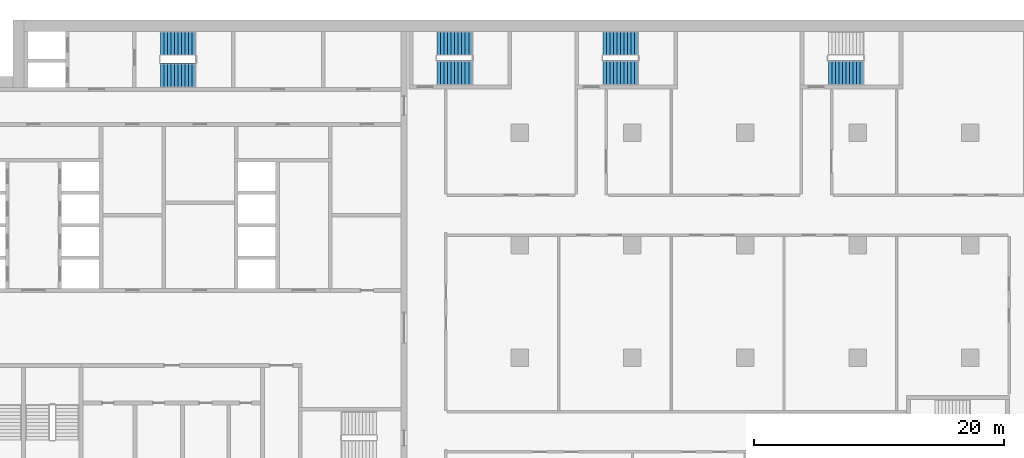
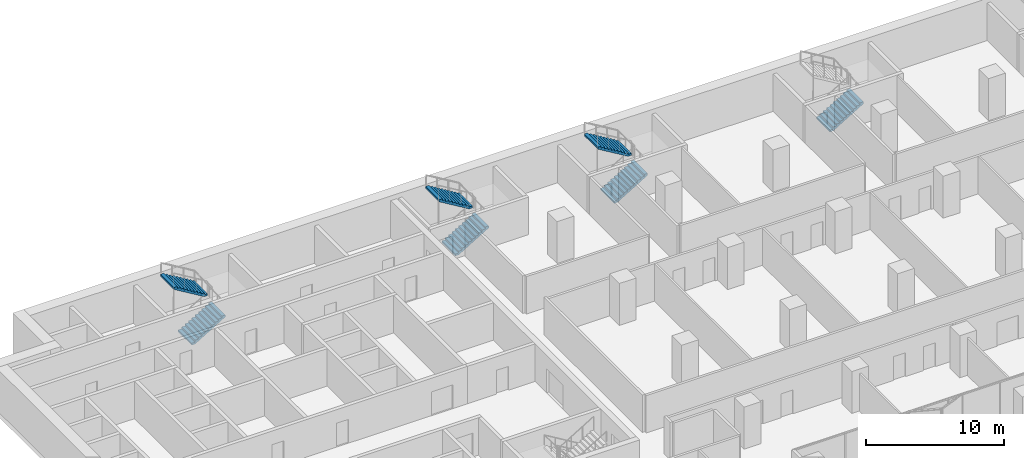
# One storey, part 21 of 28: 7 stair flights, 4 elements without a shape of their own.
"""IFC4 building model written with IfcOpenShell, lengths in metres."""

from ifc_helpers import new_model, si_unit, direction, frame, origin, place, context, subcontext, project, spatial, polyline, outline, extrude, material, type_object, element, aggregate, save


model = new_model("IFC4")

# Units and contexts
model_context = context("Model", 3, precision=1e-05, world=origin(), true_north=direction((0.0, 1.0)))
body_context = subcontext(model_context, "Body", "Model", "MODEL_VIEW")
ifc_project = project(units=[si_unit("LENGTHUNIT", "METRE"), si_unit("AREAUNIT", "SQUARE_METRE"), si_unit("VOLUMEUNIT", "CUBIC_METRE"), si_unit("PLANEANGLEUNIT", "RADIAN"), si_unit("MASSUNIT", "GRAM", prefix="KILO")], contexts=[model_context])

# Site, building, storey
site_placement = place(None, origin())
site = spatial("IfcSite", under=ifc_project, at=site_placement, CompositionType="ELEMENT")
building_placement = place(site_placement, origin())
building = spatial("IfcBuilding", under=site, at=building_placement, Name="Hunhe Ridgeline Campus", CompositionType="ELEMENT")
storey_placement = place(building_placement, frame((0.0, 0.0, 35.800048828125)))
storey = spatial("IfcBuildingStorey", under=building, at=storey_placement, Name="L07", CompositionType="ELEMENT", Elevation=35.800048828125)

# Stair, stair flights
ifc_material = material(Name="Concrete C40", Category="concrete")
stair_type = type_object("IfcStairType", Name="Reinforced concrete dog-leg stair 1950 Concrete C40", PredefinedType="HALF_TURN_STAIR", material=ifc_material)
stair_1_placement = place(storey_placement, origin())
stair_1 = element("IfcStair", 1, at=stair_1_placement, inside=storey, type_object=stair_type, Name="L07 S1", PredefinedType="HALF_TURN_STAIR")
stair_flight_type = type_object("IfcStairFlightType", Name="Reinforced concrete stair flight 1950 Concrete C40", PredefinedType="STRAIGHT", material=ifc_material)
stair_flight_1_placement = place(storey_placement, frame((16.300048828125, 94.574951171875, 0.0), z_axis=(0.0, 0.0, 1.0), x_axis=(1.0, 0.0, 0.0)))
stair_flight_1 = element("IfcStairFlight", 2, at=stair_flight_1_placement, type_object=stair_flight_type, Name="ST1 flight 1", NumberOfRisers=11, NumberOfTreads=10, PredefinedType="STRAIGHT", RiserHeight=0.168181818, TreadLength=0.28, context=body_context, shape_type="SweptSolid", body=[
    extrude(outline(polyline([(0.0, 0.0), (0.0, 0.168212890625), (0.280029296875, 0.168212890625), (0.280029296875, 0.33642578125), (0.56005859375, 0.33642578125), (0.56005859375, 0.504638671875), (0.840087890625, 0.504638671875), (0.840087890625, 0.672607421875), (1.1201171875, 0.672607421875), (1.1201171875, 0.8408203125), (1.39990234375, 0.8408203125), (1.39990234375, 1.009033203125), (1.679931640625, 1.009033203125), (1.679931640625, 1.17724609375), (1.9599609375, 1.17724609375), (1.9599609375, 1.345458984375), (2.239990234375, 1.345458984375), (2.239990234375, 1.513671875), (2.52001953125, 1.513671875), (2.52001953125, 1.681884765625), (2.800048828125, 1.681884765625), (2.800048828125, 1.85009765625), (2.800048828125, 1.5068359375), (0.291015625, 0.0), (0.0, 0.0)])), frame((0.0, 0.97509765625, 0.0), z_axis=(0.0, -1.0, 0.0), x_axis=(1.0, 0.0, 0.0)), (0.0, 0.0, 1.0), 1.949951171875),
    extrude(outline(polyline([(0.030029296875, 0.030029296875), (0.030029296875, 0.13818359375), (0.31005859375, 0.13818359375), (0.31005859375, 0.306396484375), (0.590087890625, 0.306396484375), (0.590087890625, 0.474609375), (0.8701171875, 0.474609375), (0.8701171875, 0.642578125), (1.14990234375, 0.642578125), (1.14990234375, 0.810791015625), (1.429931640625, 0.810791015625), (1.429931640625, 0.97900390625), (1.7099609375, 0.97900390625), (1.7099609375, 1.147216796875), (1.989990234375, 1.147216796875), (1.989990234375, 1.3154296875), (2.27001953125, 1.3154296875), (2.27001953125, 1.483642578125), (2.550048828125, 1.483642578125), (2.550048828125, 1.65185546875), (2.77001953125, 1.65185546875), (2.77001953125, 1.52392578125), (0.28271484375, 0.030029296875), (0.030029296875, 0.030029296875)])), frame((0.0, -0.070068359375, 0.0), z_axis=(0.0, -1.0, 0.0), x_axis=(1.0, 0.0, 0.0)), (0.0, 0.0, 1.0), 0.019775390625),
    extrude(outline(polyline([(0.030029296875, 0.030029296875), (0.030029296875, 0.13818359375), (0.31005859375, 0.13818359375), (0.31005859375, 0.306396484375), (0.590087890625, 0.306396484375), (0.590087890625, 0.474609375), (0.8701171875, 0.474609375), (0.8701171875, 0.642578125), (1.14990234375, 0.642578125), (1.14990234375, 0.810791015625), (1.429931640625, 0.810791015625), (1.429931640625, 0.97900390625), (1.7099609375, 0.97900390625), (1.7099609375, 1.147216796875), (1.989990234375, 1.147216796875), (1.989990234375, 1.3154296875), (2.27001953125, 1.3154296875), (2.27001953125, 1.483642578125), (2.550048828125, 1.483642578125), (2.550048828125, 1.65185546875), (2.77001953125, 1.65185546875), (2.77001953125, 1.52392578125), (0.28271484375, 0.030029296875), (0.030029296875, 0.030029296875)])), frame((0.0, 0.010009765625, 0.0), z_axis=(0.0, -1.0, 0.0), x_axis=(1.0, 0.0, 0.0)), (0.0, 0.0, 1.0), 0.019775390625),
    extrude(outline(polyline([(0.030029296875, 0.030029296875), (0.030029296875, 0.13818359375), (0.31005859375, 0.13818359375), (0.31005859375, 0.306396484375), (0.590087890625, 0.306396484375), (0.590087890625, 0.474609375), (0.8701171875, 0.474609375), (0.8701171875, 0.642578125), (1.14990234375, 0.642578125), (1.14990234375, 0.810791015625), (1.429931640625, 0.810791015625), (1.429931640625, 0.97900390625), (1.7099609375, 0.97900390625), (1.7099609375, 1.147216796875), (1.989990234375, 1.147216796875), (1.989990234375, 1.3154296875), (2.27001953125, 1.3154296875), (2.27001953125, 1.483642578125), (2.550048828125, 1.483642578125), (2.550048828125, 1.65185546875), (2.77001953125, 1.65185546875), (2.77001953125, 1.52392578125), (0.28271484375, 0.030029296875), (0.030029296875, 0.030029296875)])), frame((0.0, 0.090087890625, 0.0), z_axis=(0.0, -1.0, 0.0), x_axis=(1.0, 0.0, 0.0)), (0.0, 0.0, 1.0), 0.019775390625),
])
stair_flight_2_placement = place(storey_placement, frame((19.10009765625, 97.125, 1.849853515625), z_axis=(0.0, 0.0, 1.0), x_axis=(-1.0, 0.0, 0.0)))
stair_flight_2 = element("IfcStairFlight", 3, at=stair_flight_2_placement, type_object=stair_flight_type, Name="ST1 flight 2", NumberOfRisers=11, NumberOfTreads=10, PredefinedType="STRAIGHT", RiserHeight=0.168181818, TreadLength=0.28, context=body_context, shape_type="SweptSolid", body=[
    extrude(outline(polyline([(0.0, 0.0), (0.0, 0.168212890625), (0.280029296875, 0.168212890625), (0.280029296875, 0.33642578125), (0.56005859375, 0.33642578125), (0.56005859375, 0.504638671875), (0.840087890625, 0.504638671875), (0.840087890625, 0.672607421875), (1.1201171875, 0.672607421875), (1.1201171875, 0.8408203125), (1.39990234375, 0.8408203125), (1.39990234375, 1.009033203125), (1.679931640625, 1.009033203125), (1.679931640625, 1.17724609375), (1.9599609375, 1.17724609375), (1.9599609375, 1.345458984375), (2.239990234375, 1.345458984375), (2.239990234375, 1.513671875), (2.52001953125, 1.513671875), (2.52001953125, 1.681884765625), (2.800048828125, 1.681884765625), (2.800048828125, 1.85009765625), (2.800048828125, 1.5068359375), (0.291015625, 0.0), (0.0, 0.0)])), frame((0.0, 0.97509765625, 0.0), z_axis=(0.0, -1.0, 0.0), x_axis=(1.0, 0.0, 0.0)), (0.0, 0.0, 1.0), 1.949951171875),
    extrude(outline(polyline([(0.030029296875, 0.030029296875), (0.030029296875, 0.13818359375), (0.31005859375, 0.13818359375), (0.31005859375, 0.306396484375), (0.590087890625, 0.306396484375), (0.590087890625, 0.474609375), (0.8701171875, 0.474609375), (0.8701171875, 0.642578125), (1.14990234375, 0.642578125), (1.14990234375, 0.810791015625), (1.429931640625, 0.810791015625), (1.429931640625, 0.97900390625), (1.7099609375, 0.97900390625), (1.7099609375, 1.147216796875), (1.989990234375, 1.147216796875), (1.989990234375, 1.3154296875), (2.27001953125, 1.3154296875), (2.27001953125, 1.483642578125), (2.550048828125, 1.483642578125), (2.550048828125, 1.65185546875), (2.77001953125, 1.65185546875), (2.77001953125, 1.52392578125), (0.28271484375, 0.030029296875), (0.030029296875, 0.030029296875)])), frame((0.0, -0.070068359375, 0.0), z_axis=(0.0, -1.0, 0.0), x_axis=(1.0, 0.0, 0.0)), (0.0, 0.0, 1.0), 0.019775390625),
    extrude(outline(polyline([(0.030029296875, 0.030029296875), (0.030029296875, 0.13818359375), (0.31005859375, 0.13818359375), (0.31005859375, 0.306396484375), (0.590087890625, 0.306396484375), (0.590087890625, 0.474609375), (0.8701171875, 0.474609375), (0.8701171875, 0.642578125), (1.14990234375, 0.642578125), (1.14990234375, 0.810791015625), (1.429931640625, 0.810791015625), (1.429931640625, 0.97900390625), (1.7099609375, 0.97900390625), (1.7099609375, 1.147216796875), (1.989990234375, 1.147216796875), (1.989990234375, 1.3154296875), (2.27001953125, 1.3154296875), (2.27001953125, 1.483642578125), (2.550048828125, 1.483642578125), (2.550048828125, 1.65185546875), (2.77001953125, 1.65185546875), (2.77001953125, 1.52392578125), (0.28271484375, 0.030029296875), (0.030029296875, 0.030029296875)])), frame((0.0, 0.010009765625, 0.0), z_axis=(0.0, -1.0, 0.0), x_axis=(1.0, 0.0, 0.0)), (0.0, 0.0, 1.0), 0.019775390625),
    extrude(outline(polyline([(0.030029296875, 0.030029296875), (0.030029296875, 0.13818359375), (0.31005859375, 0.13818359375), (0.31005859375, 0.306396484375), (0.590087890625, 0.306396484375), (0.590087890625, 0.474609375), (0.8701171875, 0.474609375), (0.8701171875, 0.642578125), (1.14990234375, 0.642578125), (1.14990234375, 0.810791015625), (1.429931640625, 0.810791015625), (1.429931640625, 0.97900390625), (1.7099609375, 0.97900390625), (1.7099609375, 1.147216796875), (1.989990234375, 1.147216796875), (1.989990234375, 1.3154296875), (2.27001953125, 1.3154296875), (2.27001953125, 1.483642578125), (2.550048828125, 1.483642578125), (2.550048828125, 1.65185546875), (2.77001953125, 1.65185546875), (2.77001953125, 1.52392578125), (0.28271484375, 0.030029296875), (0.030029296875, 0.030029296875)])), frame((0.0, 0.090087890625, 0.0), z_axis=(0.0, -1.0, 0.0), x_axis=(1.0, 0.0, 0.0)), (0.0, 0.0, 1.0), 0.019775390625),
])
aggregate(stair_1, [stair_flight_1, stair_flight_2])

stair_2_placement = place(storey_placement, origin())
stair_2 = element("IfcStair", 4, at=stair_2_placement, inside=storey, type_object=stair_type, Name="L07 E1", PredefinedType="HALF_TURN_STAIR")
stair_flight_3_placement = place(storey_placement, frame((38.39990234375, 94.77490234375, 0.0), z_axis=(0.0, 0.0, 1.0), x_axis=(1.0, 0.0, 0.0)))
stair_flight_3 = element("IfcStairFlight", 5, at=stair_flight_3_placement, type_object=stair_flight_type, Name="ST5 flight 1", NumberOfRisers=11, NumberOfTreads=10, PredefinedType="STRAIGHT", RiserHeight=0.168181818, TreadLength=0.28, context=body_context, shape_type="SweptSolid", body=[
    extrude(outline(polyline([(0.0, 0.0), (0.0, 0.168212890625), (0.280029296875, 0.168212890625), (0.280029296875, 0.33642578125), (0.56005859375, 0.33642578125), (0.56005859375, 0.504638671875), (0.840087890625, 0.504638671875), (0.840087890625, 0.672607421875), (1.1201171875, 0.672607421875), (1.1201171875, 0.8408203125), (1.39990234375, 0.8408203125), (1.39990234375, 1.009033203125), (1.679931640625, 1.009033203125), (1.679931640625, 1.17724609375), (1.9599609375, 1.17724609375), (1.9599609375, 1.345458984375), (2.239990234375, 1.345458984375), (2.239990234375, 1.513671875), (2.52001953125, 1.513671875), (2.52001953125, 1.681884765625), (2.800048828125, 1.681884765625), (2.800048828125, 1.85009765625), (2.800048828125, 1.5068359375), (0.291015625, 0.0), (0.0, 0.0)])), frame((0.0, 0.97509765625, 0.0), z_axis=(0.0, -1.0, 0.0), x_axis=(1.0, 0.0, 0.0)), (0.0, 0.0, 1.0), 1.949951171875),
    extrude(outline(polyline([(0.030029296875, 0.030029296875), (0.030029296875, 0.13818359375), (0.31005859375, 0.13818359375), (0.31005859375, 0.306396484375), (0.590087890625, 0.306396484375), (0.590087890625, 0.474609375), (0.8701171875, 0.474609375), (0.8701171875, 0.642578125), (1.14990234375, 0.642578125), (1.14990234375, 0.810791015625), (1.429931640625, 0.810791015625), (1.429931640625, 0.97900390625), (1.7099609375, 0.97900390625), (1.7099609375, 1.147216796875), (1.989990234375, 1.147216796875), (1.989990234375, 1.3154296875), (2.27001953125, 1.3154296875), (2.27001953125, 1.483642578125), (2.550048828125, 1.483642578125), (2.550048828125, 1.65185546875), (2.77001953125, 1.65185546875), (2.77001953125, 1.52392578125), (0.28271484375, 0.030029296875), (0.030029296875, 0.030029296875)])), frame((0.0, -0.070068359375, 0.0), z_axis=(0.0, -1.0, 0.0), x_axis=(1.0, 0.0, 0.0)), (0.0, 0.0, 1.0), 0.019775390625),
    extrude(outline(polyline([(0.030029296875, 0.030029296875), (0.030029296875, 0.13818359375), (0.31005859375, 0.13818359375), (0.31005859375, 0.306396484375), (0.590087890625, 0.306396484375), (0.590087890625, 0.474609375), (0.8701171875, 0.474609375), (0.8701171875, 0.642578125), (1.14990234375, 0.642578125), (1.14990234375, 0.810791015625), (1.429931640625, 0.810791015625), (1.429931640625, 0.97900390625), (1.7099609375, 0.97900390625), (1.7099609375, 1.147216796875), (1.989990234375, 1.147216796875), (1.989990234375, 1.3154296875), (2.27001953125, 1.3154296875), (2.27001953125, 1.483642578125), (2.550048828125, 1.483642578125), (2.550048828125, 1.65185546875), (2.77001953125, 1.65185546875), (2.77001953125, 1.52392578125), (0.28271484375, 0.030029296875), (0.030029296875, 0.030029296875)])), frame((0.0, 0.010009765625, 0.0), z_axis=(0.0, -1.0, 0.0), x_axis=(1.0, 0.0, 0.0)), (0.0, 0.0, 1.0), 0.019775390625),
    extrude(outline(polyline([(0.030029296875, 0.030029296875), (0.030029296875, 0.13818359375), (0.31005859375, 0.13818359375), (0.31005859375, 0.306396484375), (0.590087890625, 0.306396484375), (0.590087890625, 0.474609375), (0.8701171875, 0.474609375), (0.8701171875, 0.642578125), (1.14990234375, 0.642578125), (1.14990234375, 0.810791015625), (1.429931640625, 0.810791015625), (1.429931640625, 0.97900390625), (1.7099609375, 0.97900390625), (1.7099609375, 1.147216796875), (1.989990234375, 1.147216796875), (1.989990234375, 1.3154296875), (2.27001953125, 1.3154296875), (2.27001953125, 1.483642578125), (2.550048828125, 1.483642578125), (2.550048828125, 1.65185546875), (2.77001953125, 1.65185546875), (2.77001953125, 1.52392578125), (0.28271484375, 0.030029296875), (0.030029296875, 0.030029296875)])), frame((0.0, 0.090087890625, 0.0), z_axis=(0.0, -1.0, 0.0), x_axis=(1.0, 0.0, 0.0)), (0.0, 0.0, 1.0), 0.019775390625),
])
stair_flight_4_placement = place(storey_placement, frame((41.199951171875, 97.125, 1.849853515625), z_axis=(0.0, 0.0, 1.0), x_axis=(-1.0, 0.0, 0.0)))
stair_flight_4 = element("IfcStairFlight", 6, at=stair_flight_4_placement, type_object=stair_flight_type, Name="ST5 flight 2", NumberOfRisers=11, NumberOfTreads=10, PredefinedType="STRAIGHT", RiserHeight=0.168181818, TreadLength=0.28, context=body_context, shape_type="SweptSolid", body=[
    extrude(outline(polyline([(0.0, 0.0), (0.0, 0.168212890625), (0.280029296875, 0.168212890625), (0.280029296875, 0.33642578125), (0.56005859375, 0.33642578125), (0.56005859375, 0.504638671875), (0.840087890625, 0.504638671875), (0.840087890625, 0.672607421875), (1.1201171875, 0.672607421875), (1.1201171875, 0.8408203125), (1.39990234375, 0.8408203125), (1.39990234375, 1.009033203125), (1.679931640625, 1.009033203125), (1.679931640625, 1.17724609375), (1.9599609375, 1.17724609375), (1.9599609375, 1.345458984375), (2.239990234375, 1.345458984375), (2.239990234375, 1.513671875), (2.52001953125, 1.513671875), (2.52001953125, 1.681884765625), (2.800048828125, 1.681884765625), (2.800048828125, 1.85009765625), (2.800048828125, 1.5068359375), (0.291015625, 0.0), (0.0, 0.0)])), frame((0.0, 0.97509765625, 0.0), z_axis=(0.0, -1.0, 0.0), x_axis=(1.0, 0.0, 0.0)), (0.0, 0.0, 1.0), 1.949951171875),
    extrude(outline(polyline([(0.030029296875, 0.030029296875), (0.030029296875, 0.13818359375), (0.31005859375, 0.13818359375), (0.31005859375, 0.306396484375), (0.590087890625, 0.306396484375), (0.590087890625, 0.474609375), (0.8701171875, 0.474609375), (0.8701171875, 0.642578125), (1.14990234375, 0.642578125), (1.14990234375, 0.810791015625), (1.429931640625, 0.810791015625), (1.429931640625, 0.97900390625), (1.7099609375, 0.97900390625), (1.7099609375, 1.147216796875), (1.989990234375, 1.147216796875), (1.989990234375, 1.3154296875), (2.27001953125, 1.3154296875), (2.27001953125, 1.483642578125), (2.550048828125, 1.483642578125), (2.550048828125, 1.65185546875), (2.77001953125, 1.65185546875), (2.77001953125, 1.52392578125), (0.28271484375, 0.030029296875), (0.030029296875, 0.030029296875)])), frame((0.0, -0.070068359375, 0.0), z_axis=(0.0, -1.0, 0.0), x_axis=(1.0, 0.0, 0.0)), (0.0, 0.0, 1.0), 0.019775390625),
    extrude(outline(polyline([(0.030029296875, 0.030029296875), (0.030029296875, 0.13818359375), (0.31005859375, 0.13818359375), (0.31005859375, 0.306396484375), (0.590087890625, 0.306396484375), (0.590087890625, 0.474609375), (0.8701171875, 0.474609375), (0.8701171875, 0.642578125), (1.14990234375, 0.642578125), (1.14990234375, 0.810791015625), (1.429931640625, 0.810791015625), (1.429931640625, 0.97900390625), (1.7099609375, 0.97900390625), (1.7099609375, 1.147216796875), (1.989990234375, 1.147216796875), (1.989990234375, 1.3154296875), (2.27001953125, 1.3154296875), (2.27001953125, 1.483642578125), (2.550048828125, 1.483642578125), (2.550048828125, 1.65185546875), (2.77001953125, 1.65185546875), (2.77001953125, 1.52392578125), (0.28271484375, 0.030029296875), (0.030029296875, 0.030029296875)])), frame((0.0, 0.010009765625, 0.0), z_axis=(0.0, -1.0, 0.0), x_axis=(1.0, 0.0, 0.0)), (0.0, 0.0, 1.0), 0.019775390625),
    extrude(outline(polyline([(0.030029296875, 0.030029296875), (0.030029296875, 0.13818359375), (0.31005859375, 0.13818359375), (0.31005859375, 0.306396484375), (0.590087890625, 0.306396484375), (0.590087890625, 0.474609375), (0.8701171875, 0.474609375), (0.8701171875, 0.642578125), (1.14990234375, 0.642578125), (1.14990234375, 0.810791015625), (1.429931640625, 0.810791015625), (1.429931640625, 0.97900390625), (1.7099609375, 0.97900390625), (1.7099609375, 1.147216796875), (1.989990234375, 1.147216796875), (1.989990234375, 1.3154296875), (2.27001953125, 1.3154296875), (2.27001953125, 1.483642578125), (2.550048828125, 1.483642578125), (2.550048828125, 1.65185546875), (2.77001953125, 1.65185546875), (2.77001953125, 1.52392578125), (0.28271484375, 0.030029296875), (0.030029296875, 0.030029296875)])), frame((0.0, 0.090087890625, 0.0), z_axis=(0.0, -1.0, 0.0), x_axis=(1.0, 0.0, 0.0)), (0.0, 0.0, 1.0), 0.019775390625),
])
aggregate(stair_2, [stair_flight_3, stair_flight_4])

stair_3_placement = place(storey_placement, origin())
stair_3 = element("IfcStair", 7, at=stair_3_placement, inside=storey, type_object=stair_type, Name="L07 E2", PredefinedType="HALF_TURN_STAIR")
stair_flight_5_placement = place(storey_placement, frame((51.64990234375, 94.77490234375, 0.0), z_axis=(0.0, 0.0, 1.0), x_axis=(1.0, 0.0, 0.0)))
stair_flight_5 = element("IfcStairFlight", 8, at=stair_flight_5_placement, type_object=stair_flight_type, Name="ST6 flight 1", NumberOfRisers=11, NumberOfTreads=10, PredefinedType="STRAIGHT", RiserHeight=0.168181818, TreadLength=0.28, context=body_context, shape_type="SweptSolid", body=[
    extrude(outline(polyline([(0.0, 0.0), (0.0, 0.168212890625), (0.280029296875, 0.168212890625), (0.280029296875, 0.33642578125), (0.56005859375, 0.33642578125), (0.56005859375, 0.504638671875), (0.840087890625, 0.504638671875), (0.840087890625, 0.672607421875), (1.1201171875, 0.672607421875), (1.1201171875, 0.8408203125), (1.39990234375, 0.8408203125), (1.39990234375, 1.009033203125), (1.679931640625, 1.009033203125), (1.679931640625, 1.17724609375), (1.9599609375, 1.17724609375), (1.9599609375, 1.345458984375), (2.239990234375, 1.345458984375), (2.239990234375, 1.513671875), (2.52001953125, 1.513671875), (2.52001953125, 1.681884765625), (2.800048828125, 1.681884765625), (2.800048828125, 1.85009765625), (2.800048828125, 1.5068359375), (0.291015625, 0.0), (0.0, 0.0)])), frame((0.0, 0.97509765625, 0.0), z_axis=(0.0, -1.0, 0.0), x_axis=(1.0, 0.0, 0.0)), (0.0, 0.0, 1.0), 1.949951171875),
    extrude(outline(polyline([(0.030029296875, 0.030029296875), (0.030029296875, 0.13818359375), (0.31005859375, 0.13818359375), (0.31005859375, 0.306396484375), (0.590087890625, 0.306396484375), (0.590087890625, 0.474609375), (0.8701171875, 0.474609375), (0.8701171875, 0.642578125), (1.14990234375, 0.642578125), (1.14990234375, 0.810791015625), (1.429931640625, 0.810791015625), (1.429931640625, 0.97900390625), (1.7099609375, 0.97900390625), (1.7099609375, 1.147216796875), (1.989990234375, 1.147216796875), (1.989990234375, 1.3154296875), (2.27001953125, 1.3154296875), (2.27001953125, 1.483642578125), (2.550048828125, 1.483642578125), (2.550048828125, 1.65185546875), (2.77001953125, 1.65185546875), (2.77001953125, 1.52392578125), (0.28271484375, 0.030029296875), (0.030029296875, 0.030029296875)])), frame((0.0, -0.070068359375, 0.0), z_axis=(0.0, -1.0, 0.0), x_axis=(1.0, 0.0, 0.0)), (0.0, 0.0, 1.0), 0.019775390625),
    extrude(outline(polyline([(0.030029296875, 0.030029296875), (0.030029296875, 0.13818359375), (0.31005859375, 0.13818359375), (0.31005859375, 0.306396484375), (0.590087890625, 0.306396484375), (0.590087890625, 0.474609375), (0.8701171875, 0.474609375), (0.8701171875, 0.642578125), (1.14990234375, 0.642578125), (1.14990234375, 0.810791015625), (1.429931640625, 0.810791015625), (1.429931640625, 0.97900390625), (1.7099609375, 0.97900390625), (1.7099609375, 1.147216796875), (1.989990234375, 1.147216796875), (1.989990234375, 1.3154296875), (2.27001953125, 1.3154296875), (2.27001953125, 1.483642578125), (2.550048828125, 1.483642578125), (2.550048828125, 1.65185546875), (2.77001953125, 1.65185546875), (2.77001953125, 1.52392578125), (0.28271484375, 0.030029296875), (0.030029296875, 0.030029296875)])), frame((0.0, 0.010009765625, 0.0), z_axis=(0.0, -1.0, 0.0), x_axis=(1.0, 0.0, 0.0)), (0.0, 0.0, 1.0), 0.019775390625),
    extrude(outline(polyline([(0.030029296875, 0.030029296875), (0.030029296875, 0.13818359375), (0.31005859375, 0.13818359375), (0.31005859375, 0.306396484375), (0.590087890625, 0.306396484375), (0.590087890625, 0.474609375), (0.8701171875, 0.474609375), (0.8701171875, 0.642578125), (1.14990234375, 0.642578125), (1.14990234375, 0.810791015625), (1.429931640625, 0.810791015625), (1.429931640625, 0.97900390625), (1.7099609375, 0.97900390625), (1.7099609375, 1.147216796875), (1.989990234375, 1.147216796875), (1.989990234375, 1.3154296875), (2.27001953125, 1.3154296875), (2.27001953125, 1.483642578125), (2.550048828125, 1.483642578125), (2.550048828125, 1.65185546875), (2.77001953125, 1.65185546875), (2.77001953125, 1.52392578125), (0.28271484375, 0.030029296875), (0.030029296875, 0.030029296875)])), frame((0.0, 0.090087890625, 0.0), z_axis=(0.0, -1.0, 0.0), x_axis=(1.0, 0.0, 0.0)), (0.0, 0.0, 1.0), 0.019775390625),
])
stair_flight_6_placement = place(storey_placement, frame((54.449951171875, 97.125, 1.849853515625), z_axis=(0.0, 0.0, 1.0), x_axis=(-1.0, 0.0, 0.0)))
stair_flight_6 = element("IfcStairFlight", 9, at=stair_flight_6_placement, type_object=stair_flight_type, Name="ST6 flight 2", NumberOfRisers=11, NumberOfTreads=10, PredefinedType="STRAIGHT", RiserHeight=0.168181818, TreadLength=0.28, context=body_context, shape_type="SweptSolid", body=[
    extrude(outline(polyline([(0.0, 0.0), (0.0, 0.168212890625), (0.280029296875, 0.168212890625), (0.280029296875, 0.33642578125), (0.56005859375, 0.33642578125), (0.56005859375, 0.504638671875), (0.840087890625, 0.504638671875), (0.840087890625, 0.672607421875), (1.1201171875, 0.672607421875), (1.1201171875, 0.8408203125), (1.39990234375, 0.8408203125), (1.39990234375, 1.009033203125), (1.679931640625, 1.009033203125), (1.679931640625, 1.17724609375), (1.9599609375, 1.17724609375), (1.9599609375, 1.345458984375), (2.239990234375, 1.345458984375), (2.239990234375, 1.513671875), (2.52001953125, 1.513671875), (2.52001953125, 1.681884765625), (2.800048828125, 1.681884765625), (2.800048828125, 1.85009765625), (2.800048828125, 1.5068359375), (0.291015625, 0.0), (0.0, 0.0)])), frame((0.0, 0.97509765625, 0.0), z_axis=(0.0, -1.0, 0.0), x_axis=(1.0, 0.0, 0.0)), (0.0, 0.0, 1.0), 1.949951171875),
    extrude(outline(polyline([(0.030029296875, 0.030029296875), (0.030029296875, 0.13818359375), (0.31005859375, 0.13818359375), (0.31005859375, 0.306396484375), (0.590087890625, 0.306396484375), (0.590087890625, 0.474609375), (0.8701171875, 0.474609375), (0.8701171875, 0.642578125), (1.14990234375, 0.642578125), (1.14990234375, 0.810791015625), (1.429931640625, 0.810791015625), (1.429931640625, 0.97900390625), (1.7099609375, 0.97900390625), (1.7099609375, 1.147216796875), (1.989990234375, 1.147216796875), (1.989990234375, 1.3154296875), (2.27001953125, 1.3154296875), (2.27001953125, 1.483642578125), (2.550048828125, 1.483642578125), (2.550048828125, 1.65185546875), (2.77001953125, 1.65185546875), (2.77001953125, 1.52392578125), (0.28271484375, 0.030029296875), (0.030029296875, 0.030029296875)])), frame((0.0, -0.070068359375, 0.0), z_axis=(0.0, -1.0, 0.0), x_axis=(1.0, 0.0, 0.0)), (0.0, 0.0, 1.0), 0.019775390625),
    extrude(outline(polyline([(0.030029296875, 0.030029296875), (0.030029296875, 0.13818359375), (0.31005859375, 0.13818359375), (0.31005859375, 0.306396484375), (0.590087890625, 0.306396484375), (0.590087890625, 0.474609375), (0.8701171875, 0.474609375), (0.8701171875, 0.642578125), (1.14990234375, 0.642578125), (1.14990234375, 0.810791015625), (1.429931640625, 0.810791015625), (1.429931640625, 0.97900390625), (1.7099609375, 0.97900390625), (1.7099609375, 1.147216796875), (1.989990234375, 1.147216796875), (1.989990234375, 1.3154296875), (2.27001953125, 1.3154296875), (2.27001953125, 1.483642578125), (2.550048828125, 1.483642578125), (2.550048828125, 1.65185546875), (2.77001953125, 1.65185546875), (2.77001953125, 1.52392578125), (0.28271484375, 0.030029296875), (0.030029296875, 0.030029296875)])), frame((0.0, 0.010009765625, 0.0), z_axis=(0.0, -1.0, 0.0), x_axis=(1.0, 0.0, 0.0)), (0.0, 0.0, 1.0), 0.019775390625),
    extrude(outline(polyline([(0.030029296875, 0.030029296875), (0.030029296875, 0.13818359375), (0.31005859375, 0.13818359375), (0.31005859375, 0.306396484375), (0.590087890625, 0.306396484375), (0.590087890625, 0.474609375), (0.8701171875, 0.474609375), (0.8701171875, 0.642578125), (1.14990234375, 0.642578125), (1.14990234375, 0.810791015625), (1.429931640625, 0.810791015625), (1.429931640625, 0.97900390625), (1.7099609375, 0.97900390625), (1.7099609375, 1.147216796875), (1.989990234375, 1.147216796875), (1.989990234375, 1.3154296875), (2.27001953125, 1.3154296875), (2.27001953125, 1.483642578125), (2.550048828125, 1.483642578125), (2.550048828125, 1.65185546875), (2.77001953125, 1.65185546875), (2.77001953125, 1.52392578125), (0.28271484375, 0.030029296875), (0.030029296875, 0.030029296875)])), frame((0.0, 0.090087890625, 0.0), z_axis=(0.0, -1.0, 0.0), x_axis=(1.0, 0.0, 0.0)), (0.0, 0.0, 1.0), 0.019775390625),
])
aggregate(stair_3, [stair_flight_5, stair_flight_6])

# Stair, stair flight
stair_4_placement = place(storey_placement, origin())
stair_4 = element("IfcStair", 10, at=stair_4_placement, inside=storey, type_object=stair_type, Name="L07 E3", PredefinedType="HALF_TURN_STAIR")
stair_flight_7_placement = place(storey_placement, frame((69.64990234375, 94.77490234375, 0.0), z_axis=(0.0, 0.0, 1.0), x_axis=(1.0, 0.0, 0.0)))
stair_flight_7 = element("IfcStairFlight", 11, at=stair_flight_7_placement, type_object=stair_flight_type, Name="ST7 flight 1", NumberOfRisers=11, NumberOfTreads=10, PredefinedType="STRAIGHT", RiserHeight=0.168181818, TreadLength=0.28, context=body_context, shape_type="SweptSolid", body=[
    extrude(outline(polyline([(0.0, 0.0), (0.0, 0.168212890625), (0.280029296875, 0.168212890625), (0.280029296875, 0.33642578125), (0.56005859375, 0.33642578125), (0.56005859375, 0.504638671875), (0.840087890625, 0.504638671875), (0.840087890625, 0.672607421875), (1.1201171875, 0.672607421875), (1.1201171875, 0.8408203125), (1.39990234375, 0.8408203125), (1.39990234375, 1.009033203125), (1.679931640625, 1.009033203125), (1.679931640625, 1.17724609375), (1.9599609375, 1.17724609375), (1.9599609375, 1.345458984375), (2.239990234375, 1.345458984375), (2.239990234375, 1.513671875), (2.52001953125, 1.513671875), (2.52001953125, 1.681884765625), (2.800048828125, 1.681884765625), (2.800048828125, 1.85009765625), (2.800048828125, 1.5068359375), (0.291015625, 0.0), (0.0, 0.0)])), frame((0.0, 0.97509765625, 0.0), z_axis=(0.0, -1.0, 0.0), x_axis=(1.0, 0.0, 0.0)), (0.0, 0.0, 1.0), 1.949951171875),
    extrude(outline(polyline([(0.030029296875, 0.030029296875), (0.030029296875, 0.13818359375), (0.31005859375, 0.13818359375), (0.31005859375, 0.306396484375), (0.590087890625, 0.306396484375), (0.590087890625, 0.474609375), (0.8701171875, 0.474609375), (0.8701171875, 0.642578125), (1.14990234375, 0.642578125), (1.14990234375, 0.810791015625), (1.429931640625, 0.810791015625), (1.429931640625, 0.97900390625), (1.7099609375, 0.97900390625), (1.7099609375, 1.147216796875), (1.989990234375, 1.147216796875), (1.989990234375, 1.3154296875), (2.27001953125, 1.3154296875), (2.27001953125, 1.483642578125), (2.550048828125, 1.483642578125), (2.550048828125, 1.65185546875), (2.77001953125, 1.65185546875), (2.77001953125, 1.52392578125), (0.28271484375, 0.030029296875), (0.030029296875, 0.030029296875)])), frame((0.0, -0.070068359375, 0.0), z_axis=(0.0, -1.0, 0.0), x_axis=(1.0, 0.0, 0.0)), (0.0, 0.0, 1.0), 0.019775390625),
    extrude(outline(polyline([(0.030029296875, 0.030029296875), (0.030029296875, 0.13818359375), (0.31005859375, 0.13818359375), (0.31005859375, 0.306396484375), (0.590087890625, 0.306396484375), (0.590087890625, 0.474609375), (0.8701171875, 0.474609375), (0.8701171875, 0.642578125), (1.14990234375, 0.642578125), (1.14990234375, 0.810791015625), (1.429931640625, 0.810791015625), (1.429931640625, 0.97900390625), (1.7099609375, 0.97900390625), (1.7099609375, 1.147216796875), (1.989990234375, 1.147216796875), (1.989990234375, 1.3154296875), (2.27001953125, 1.3154296875), (2.27001953125, 1.483642578125), (2.550048828125, 1.483642578125), (2.550048828125, 1.65185546875), (2.77001953125, 1.65185546875), (2.77001953125, 1.52392578125), (0.28271484375, 0.030029296875), (0.030029296875, 0.030029296875)])), frame((0.0, 0.010009765625, 0.0), z_axis=(0.0, -1.0, 0.0), x_axis=(1.0, 0.0, 0.0)), (0.0, 0.0, 1.0), 0.019775390625),
    extrude(outline(polyline([(0.030029296875, 0.030029296875), (0.030029296875, 0.13818359375), (0.31005859375, 0.13818359375), (0.31005859375, 0.306396484375), (0.590087890625, 0.306396484375), (0.590087890625, 0.474609375), (0.8701171875, 0.474609375), (0.8701171875, 0.642578125), (1.14990234375, 0.642578125), (1.14990234375, 0.810791015625), (1.429931640625, 0.810791015625), (1.429931640625, 0.97900390625), (1.7099609375, 0.97900390625), (1.7099609375, 1.147216796875), (1.989990234375, 1.147216796875), (1.989990234375, 1.3154296875), (2.27001953125, 1.3154296875), (2.27001953125, 1.483642578125), (2.550048828125, 1.483642578125), (2.550048828125, 1.65185546875), (2.77001953125, 1.65185546875), (2.77001953125, 1.52392578125), (0.28271484375, 0.030029296875), (0.030029296875, 0.030029296875)])), frame((0.0, 0.090087890625, 0.0), z_axis=(0.0, -1.0, 0.0), x_axis=(1.0, 0.0, 0.0)), (0.0, 0.0, 1.0), 0.019775390625),
])
aggregate(stair_4, [stair_flight_7])

save(model, "model.ifc")
